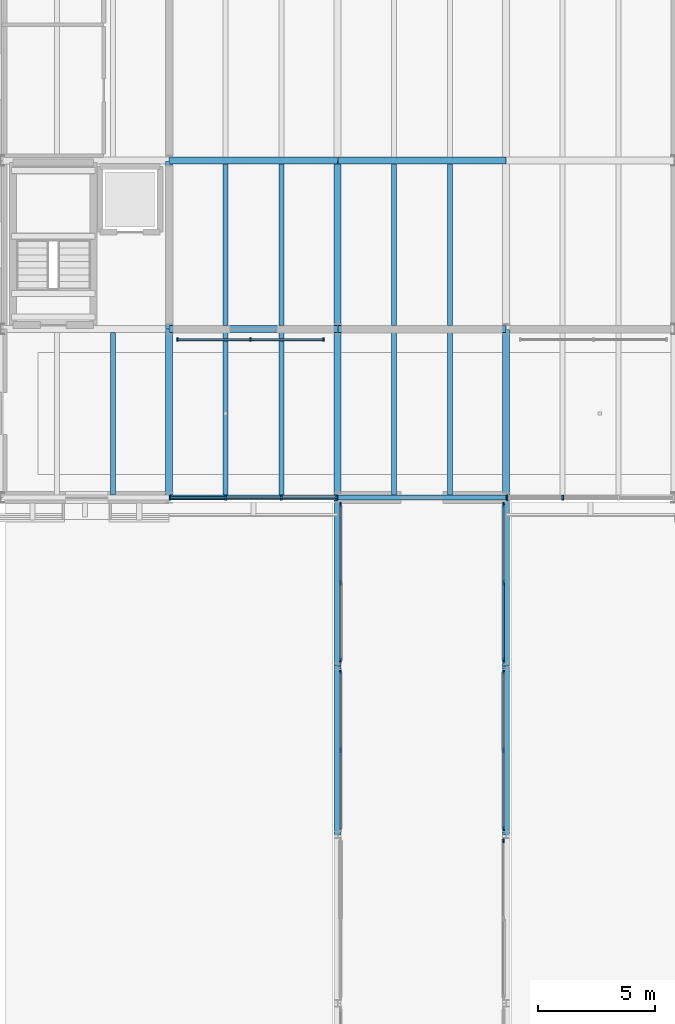
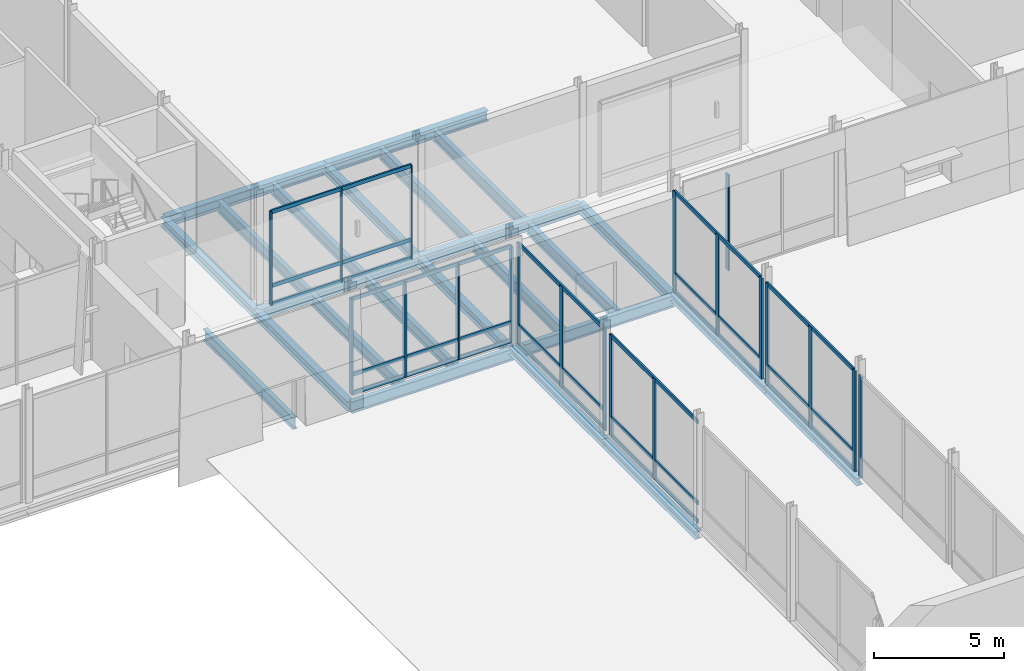
# One storey, part 42 of 120: 39 members, 24 beams, 8 elements without a shape of their own.
"""IFC4 building model written with IfcOpenShell, lengths in metres."""

from ifc_helpers import new_model, si_unit, direction, frame, origin, origin_2d, place, context, subcontext, project, spatial, rectangle, i_section, extrude, material, layer, layer_set, material_profile, profile_set, type_object, element, aggregate, save


model = new_model("IFC4")

# Units and contexts
model_context = context("Model", 3, precision=1e-05, world=origin(), true_north=direction((0.0, 1.0)))
body_context = subcontext(model_context, "Body", "Model", "MODEL_VIEW")
ifc_project = project(units=[si_unit("LENGTHUNIT", "METRE"), si_unit("AREAUNIT", "SQUARE_METRE"), si_unit("VOLUMEUNIT", "CUBIC_METRE"), si_unit("PLANEANGLEUNIT", "RADIAN"), si_unit("MASSUNIT", "GRAM", prefix="KILO")], contexts=[model_context])

# Site, building, storey
site_placement = place(None, origin())
site = spatial("IfcSite", under=ifc_project, at=site_placement, CompositionType="ELEMENT")
building_placement = place(site_placement, origin())
building = spatial("IfcBuilding", under=site, at=building_placement, Name="Narikvali Park Central Library", CompositionType="ELEMENT")
storey_placement = place(building_placement, origin())
storey = spatial("IfcBuildingStorey", under=building, at=storey_placement, Name="L00", CompositionType="ELEMENT", Elevation=0.0)

# Beams
ifc_material_1 = material(Name="Steel S355", Category="steel")
ifc_material_profile_1 = material_profile(ifc_material_1, i_section(OverallWidth=0.2099609375, OverallDepth=0.550048828125, WebThickness=0.010986328125, FlangeThickness=0.01708984375, FilletRadius=0.02392578125, at=origin_2d()), Name="IPE 550")
ifc_profile_set_1 = profile_set([ifc_material_profile_1], Name="Steel S355")
beam_type_1 = type_object("IfcBeamType", Name="Assembly Floor Joist IPE550", PredefinedType="JOIST", material=ifc_profile_set_1)
for number, where, z_axis, x_axis, name in (
    (1, (127.199951171875, 79.304931640625, -0.594970703125), (0.0, 1.0, 0.0), (-1.0, 0.0, 0.0), "V3 L00 Composite Joist 2"),
    (2, (132.0, 79.304931640625, -0.594970703125), (0.0, 1.0, 0.0), (-1.0, 0.0, 0.0), "V3 L00 Composite Joist 1"),
    (3, (134.39990234375, 79.304931640625, -0.594970703125), (0.0, 1.0, 0.0), (-1.0, 0.0, 0.0), "V3 L00 Composite Joist 2"),
):
    element("IfcBeam", number, at=place(storey_placement, frame(where, z_axis=z_axis, x_axis=x_axis)), inside=storey, type_object=beam_type_1, Name=name, PredefinedType="JOIST", context=body_context, shape_type="SweptSolid", body=[
        extrude(i_section(OverallWidth=0.2099609375, OverallDepth=0.550048828125, WebThickness=0.010986328125, FlangeThickness=0.01708984375, FilletRadius=0.02392578125, at=origin_2d()), origin(), (0.0, 0.0, 1.0), 6.945068359375),
    ])
for number, where, z_axis, x_axis, name in (
    (4, (132.0, 86.550048828125, -0.594970703125), (0.0, 1.0, 0.0), (-1.0, 0.0, 0.0), "V3 L00 Composite Joist 1"),
    (5, (134.39990234375, 86.550048828125, -0.594970703125), (0.0, 1.0, 0.0), (-1.0, 0.0, 0.0), "V3 L00 Composite Joist 2"),
):
    element("IfcBeam", number, at=place(storey_placement, frame(where, z_axis=z_axis, x_axis=x_axis)), inside=storey, type_object=beam_type_1, Name=name, PredefinedType="JOIST", context=body_context, shape_type="SweptSolid", body=[
        extrude(i_section(OverallWidth=0.2099609375, OverallDepth=0.550048828125, WebThickness=0.010986328125, FlangeThickness=0.01708984375, FilletRadius=0.02392578125, at=origin_2d()), origin(), (0.0, 0.0, 1.0), 6.89990234375),
    ])
for number, where, z_axis, x_axis, name in (
    (6, (139.199951171875, 79.304931640625, -0.594970703125), (0.0, 1.0, 0.0), (-1.0, 0.0, 0.0), "V3 L00 Composite Joist 1"),
    (7, (141.60009765625, 79.304931640625, -0.594970703125), (0.0, 1.0, 0.0), (-1.0, 0.0, 0.0), "V3 L00 Composite Joist 2"),
):
    element("IfcBeam", number, at=place(storey_placement, frame(where, z_axis=z_axis, x_axis=x_axis)), inside=storey, type_object=beam_type_1, Name=name, PredefinedType="JOIST", context=body_context, shape_type="SweptSolid", body=[
        extrude(i_section(OverallWidth=0.2099609375, OverallDepth=0.550048828125, WebThickness=0.010986328125, FlangeThickness=0.01708984375, FilletRadius=0.02392578125, at=origin_2d()), origin(), (0.0, 0.0, 1.0), 6.945068359375),
    ])
for number, where, z_axis, x_axis, name in (
    (8, (139.199951171875, 86.550048828125, -0.594970703125), (0.0, 1.0, 0.0), (-1.0, 0.0, 0.0), "V3 L00 Composite Joist 1"),
    (9, (141.60009765625, 86.550048828125, -0.594970703125), (0.0, 1.0, 0.0), (-1.0, 0.0, 0.0), "V3 L00 Composite Joist 2"),
):
    element("IfcBeam", number, at=place(storey_placement, frame(where, z_axis=z_axis, x_axis=x_axis)), inside=storey, type_object=beam_type_1, Name=name, PredefinedType="JOIST", context=body_context, shape_type="SweptSolid", body=[
        extrude(i_section(OverallWidth=0.2099609375, OverallDepth=0.550048828125, WebThickness=0.010986328125, FlangeThickness=0.01708984375, FilletRadius=0.02392578125, at=origin_2d()), origin(), (0.0, 0.0, 1.0), 6.89990234375),
    ])
ifc_material_profile_2 = material_profile(ifc_material_1, i_section(OverallWidth=0.300048828125, OverallDepth=0.360107421875, WebThickness=0.012451171875, FlangeThickness=0.0224609375, FilletRadius=0.027099609375, at=origin_2d()), Name="HEB 360")
ifc_profile_set_2 = profile_set([ifc_material_profile_2], Name="Steel S355")
beam_type_2 = type_object("IfcBeamType", Name="Cloister Bridge Girder HEB360", PredefinedType="BEAM", material=ifc_profile_set_2)
for number, where, z_axis, x_axis, name in (
    (10, (136.800048828125, 64.81005859375, -0.429931640625), (0.0, 1.0, 0.0), (-1.0, 0.0, 0.0), "BRG-4 L00 Sliding Bridge Girder 1-3"),
    (11, (136.800048828125, 72.010009765625, -0.429931640625), (0.0, 1.0, 0.0), (-1.0, 0.0, 0.0), "BRG-4 L00 Sliding Bridge Girder 1-4"),
    (12, (144.0, 64.81005859375, -0.429931640625), (0.0, 1.0, 0.0), (-1.0, 0.0, 0.0), "BRG-4 L00 Sliding Bridge Girder 2-3"),
    (13, (144.0, 72.010009765625, -0.429931640625), (0.0, 1.0, 0.0), (-1.0, 0.0, 0.0), "BRG-4 L00 Sliding Bridge Girder 2-4"),
):
    element("IfcBeam", number, at=place(storey_placement, frame(where, z_axis=z_axis, x_axis=x_axis)), inside=storey, type_object=beam_type_2, Name=name, PredefinedType="BEAM", context=body_context, shape_type="SweptSolid", body=[
        extrude(i_section(OverallWidth=0.300048828125, OverallDepth=0.360107421875, WebThickness=0.012451171875, FlangeThickness=0.0224609375, FilletRadius=0.027099609375, at=origin_2d()), origin(), (0.0, 0.0, 1.0), 7.179931640625),
    ])

# Curtain wall, members
ifc_material_2 = material(Name="Anodised Bronze Aluminium", Category="aluminium")
ifc_layer_1 = layer(ifc_material_2, 0.219970703125, Name="Anodised Bronze Aluminium")
ifc_layer_set_1 = layer_set([ifc_layer_1], Name="Anodised Bronze Aluminium")
curtain_wall_type_1 = type_object("IfcCurtainWallType", Name="Atrium Tall Curtain Wall System", PredefinedType="NOTDEFINED", material=ifc_layer_set_1)
curtain_wall_1_placement = place(storey_placement, origin())
curtain_wall_1 = element("IfcCurtainWall", 14, at=curtain_wall_1_placement, inside=storey, type_object=curtain_wall_type_1, Name="Atrium Tall Curtain Wall System CW-V3-L00-S-02", PredefinedType="NOTDEFINED")
ifc_material_profile_3 = material_profile(ifc_material_2, rectangle(XDim=0.074951171875, YDim=0.219970703125, at=origin_2d()), Name="CW MULLION 75x220")
ifc_profile_set_3 = profile_set([ifc_material_profile_3], Name="Anodised Bronze Aluminium")
member_type_1 = type_object("IfcMemberType", Name="Curtain Wall Heavy Mullion 75x220", PredefinedType="MULLION", material=ifc_profile_set_3)
member_1_placement = place(storey_placement, frame((129.637939453125, 79.199951171875, -0.010009765625), z_axis=(0.0, 0.0, 1.0), x_axis=(1.0, 0.0, 0.0)))
member_1 = element("IfcMember", 15, at=member_1_placement, type_object=member_type_1, Name="CW-V3-L00-S-02 Mullion 00", PredefinedType="MULLION", context=body_context, shape_type="SweptSolid", body=[
    extrude(rectangle(XDim=0.074951171875, YDim=0.219970703125, at=origin_2d()), origin(), (0.0, 0.0, 1.0), 4.510009765625),
])
member_2_placement = place(storey_placement, frame((132.0126953125, 79.199951171875, -0.010009765625), z_axis=(0.0, 0.0, 1.0), x_axis=(1.0, 0.0, 0.0)))
member_2 = element("IfcMember", 16, at=member_2_placement, type_object=member_type_1, Name="CW-V3-L00-S-02 Mullion 01", PredefinedType="MULLION", context=body_context, shape_type="SweptSolid", body=[
    extrude(rectangle(XDim=0.074951171875, YDim=0.219970703125, at=origin_2d()), origin(), (0.0, 0.0, 1.0), 4.510009765625),
])
member_3_placement = place(storey_placement, frame((134.38720703125, 79.199951171875, -0.010009765625), z_axis=(0.0, 0.0, 1.0), x_axis=(1.0, 0.0, 0.0)))
member_3 = element("IfcMember", 17, at=member_3_placement, type_object=member_type_1, Name="CW-V3-L00-S-02 Mullion 02", PredefinedType="MULLION", context=body_context, shape_type="SweptSolid", body=[
    extrude(rectangle(XDim=0.074951171875, YDim=0.219970703125, at=origin_2d()), origin(), (0.0, 0.0, 1.0), 4.510009765625),
])
member_4_placement = place(storey_placement, frame((136.761962890625, 79.199951171875, -0.010009765625), z_axis=(0.0, 0.0, 1.0), x_axis=(1.0, 0.0, 0.0)))
member_4 = element("IfcMember", 18, at=member_4_placement, type_object=member_type_1, Name="CW-V3-L00-S-02 Mullion 03", PredefinedType="MULLION", context=body_context, shape_type="SweptSolid", body=[
    extrude(rectangle(XDim=0.074951171875, YDim=0.219970703125, at=origin_2d()), origin(), (0.0, 0.0, 1.0), 4.510009765625),
])

curtain_wall_2_placement = place(storey_placement, origin())
curtain_wall_2 = element("IfcCurtainWall", 19, at=curtain_wall_2_placement, inside=storey, type_object=curtain_wall_type_1, Name="Atrium Tall Curtain Wall System CW-V3-L00-S-04", PredefinedType="NOTDEFINED")
member_5_placement = place(storey_placement, frame((144.0380859375, 79.199951171875, -0.010009765625), z_axis=(0.0, 0.0, 1.0), x_axis=(1.0, 0.0, 0.0)))
member_5 = element("IfcMember", 20, at=member_5_placement, type_object=member_type_1, Name="CW-V3-L00-S-04 Mullion 00", PredefinedType="MULLION", context=body_context, shape_type="SweptSolid", body=[
    extrude(rectangle(XDim=0.074951171875, YDim=0.219970703125, at=origin_2d()), origin(), (0.0, 0.0, 1.0), 4.510009765625),
])
member_6_placement = place(storey_placement, frame((146.41259765625, 79.199951171875, -0.010009765625), z_axis=(0.0, 0.0, 1.0), x_axis=(1.0, 0.0, 0.0)))
member_6 = element("IfcMember", 21, at=member_6_placement, type_object=member_type_1, Name="CW-V3-L00-S-04 Mullion 01", PredefinedType="MULLION", context=body_context, shape_type="SweptSolid", body=[
    extrude(rectangle(XDim=0.074951171875, YDim=0.219970703125, at=origin_2d()), origin(), (0.0, 0.0, 1.0), 4.510009765625),
])
aggregate(curtain_wall_2, [member_5, member_6])

# Curtain wall, member
ifc_layer_2 = layer(ifc_material_2, 0.219970703125, Name="Anodised Bronze Aluminium")
ifc_layer_set_2 = layer_set([ifc_layer_2], Name="Anodised Bronze Aluminium")
curtain_wall_type_2 = type_object("IfcCurtainWallType", Name="Bridge Covered Passage Glazing System", PredefinedType="NOTDEFINED", material=ifc_layer_set_2)
curtain_wall_3_placement = place(storey_placement, origin())
curtain_wall_3 = element("IfcCurtainWall", 22, at=curtain_wall_3_placement, inside=storey, type_object=curtain_wall_type_2, Name="Bridge Covered Passage Glazing System CW-BRG-4-L00-E2", PredefinedType="NOTDEFINED")
member_7_placement = place(storey_placement, frame((143.8798828125, 64.56005859375, -0.010009765625), z_axis=(0.0, 0.0, 1.0), x_axis=(1.0, 0.0, 0.0)))
member_7 = element("IfcMember", 23, at=member_7_placement, type_object=member_type_1, Name="CW-BRG-4-L00-E2 Mullion 02", PredefinedType="MULLION", context=body_context, shape_type="SweptSolid", body=[
    extrude(rectangle(XDim=0.074951171875, YDim=0.219970703125, at=origin_2d()), origin(), (0.0, 0.0, 1.0), 4.760009765625),
])
aggregate(curtain_wall_3, [member_7])

# Curtain wall, members
curtain_wall_4_placement = place(storey_placement, origin())
curtain_wall_4 = element("IfcCurtainWall", 24, at=curtain_wall_4_placement, inside=storey, type_object=curtain_wall_type_2, Name="Bridge Covered Passage Glazing System CW-BRG-4-L00-W3", PredefinedType="NOTDEFINED")
member_8_placement = place(storey_placement, frame((136.919921875, 68.39990234375, -0.010009765625), z_axis=(0.0, 0.0, 1.0), x_axis=(1.0, 0.0, 0.0)))
member_8 = element("IfcMember", 25, at=member_8_placement, type_object=member_type_1, Name="CW-BRG-4-L00-W3 Mullion 01", PredefinedType="MULLION", context=body_context, shape_type="SweptSolid", body=[
    extrude(rectangle(XDim=0.074951171875, YDim=0.219970703125, at=origin_2d()), origin(), (0.0, 0.0, 1.0), 4.760009765625),
])
member_9_placement = place(storey_placement, frame((136.919921875, 71.760009765625, -0.010009765625), z_axis=(0.0, 0.0, 1.0), x_axis=(1.0, 0.0, 0.0)))
member_9 = element("IfcMember", 26, at=member_9_placement, type_object=member_type_1, Name="CW-BRG-4-L00-W3 Mullion 02", PredefinedType="MULLION", context=body_context, shape_type="SweptSolid", body=[
    extrude(rectangle(XDim=0.074951171875, YDim=0.219970703125, at=origin_2d()), origin(), (0.0, 0.0, 1.0), 4.760009765625),
])

curtain_wall_5_placement = place(storey_placement, origin())
curtain_wall_5 = element("IfcCurtainWall", 27, at=curtain_wall_5_placement, inside=storey, type_object=curtain_wall_type_2, Name="Bridge Covered Passage Glazing System CW-BRG-4-L00-E3", PredefinedType="NOTDEFINED")
member_10_placement = place(storey_placement, frame((143.8798828125, 65.0400390625, -0.010009765625), z_axis=(0.0, 0.0, 1.0), x_axis=(1.0, 0.0, 0.0)))
member_10 = element("IfcMember", 28, at=member_10_placement, type_object=member_type_1, Name="CW-BRG-4-L00-E3 Mullion 00", PredefinedType="MULLION", context=body_context, shape_type="SweptSolid", body=[
    extrude(rectangle(XDim=0.074951171875, YDim=0.219970703125, at=origin_2d()), origin(), (0.0, 0.0, 1.0), 4.760009765625),
])
member_11_placement = place(storey_placement, frame((143.8798828125, 68.39990234375, -0.010009765625), z_axis=(0.0, 0.0, 1.0), x_axis=(1.0, 0.0, 0.0)))
member_11 = element("IfcMember", 29, at=member_11_placement, type_object=member_type_1, Name="CW-BRG-4-L00-E3 Mullion 01", PredefinedType="MULLION", context=body_context, shape_type="SweptSolid", body=[
    extrude(rectangle(XDim=0.074951171875, YDim=0.219970703125, at=origin_2d()), origin(), (0.0, 0.0, 1.0), 4.760009765625),
])
member_12_placement = place(storey_placement, frame((143.8798828125, 71.760009765625, -0.010009765625), z_axis=(0.0, 0.0, 1.0), x_axis=(1.0, 0.0, 0.0)))
member_12 = element("IfcMember", 30, at=member_12_placement, type_object=member_type_1, Name="CW-BRG-4-L00-E3 Mullion 02", PredefinedType="MULLION", context=body_context, shape_type="SweptSolid", body=[
    extrude(rectangle(XDim=0.074951171875, YDim=0.219970703125, at=origin_2d()), origin(), (0.0, 0.0, 1.0), 4.760009765625),
])

curtain_wall_6_placement = place(storey_placement, origin())
curtain_wall_6 = element("IfcCurtainWall", 31, at=curtain_wall_6_placement, inside=storey, type_object=curtain_wall_type_2, Name="Bridge Covered Passage Glazing System CW-BRG-4-L00-W4", PredefinedType="NOTDEFINED")
member_13_placement = place(storey_placement, frame((136.919921875, 72.239990234375, -0.010009765625), z_axis=(0.0, 0.0, 1.0), x_axis=(1.0, 0.0, 0.0)))
member_13 = element("IfcMember", 32, at=member_13_placement, type_object=member_type_1, Name="CW-BRG-4-L00-W4 Mullion 00", PredefinedType="MULLION", context=body_context, shape_type="SweptSolid", body=[
    extrude(rectangle(XDim=0.074951171875, YDim=0.219970703125, at=origin_2d()), origin(), (0.0, 0.0, 1.0), 4.760009765625),
])
member_14_placement = place(storey_placement, frame((136.919921875, 75.570068359375, -0.010009765625), z_axis=(0.0, 0.0, 1.0), x_axis=(1.0, 0.0, 0.0)))
member_14 = element("IfcMember", 33, at=member_14_placement, type_object=member_type_1, Name="CW-BRG-4-L00-W4 Mullion 01", PredefinedType="MULLION", context=body_context, shape_type="SweptSolid", body=[
    extrude(rectangle(XDim=0.074951171875, YDim=0.219970703125, at=origin_2d()), origin(), (0.0, 0.0, 1.0), 4.760009765625),
])
member_15_placement = place(storey_placement, frame((136.919921875, 78.89990234375, -0.010009765625), z_axis=(0.0, 0.0, 1.0), x_axis=(1.0, 0.0, 0.0)))
member_15 = element("IfcMember", 34, at=member_15_placement, type_object=member_type_1, Name="CW-BRG-4-L00-W4 Mullion 02", PredefinedType="MULLION", context=body_context, shape_type="SweptSolid", body=[
    extrude(rectangle(XDim=0.074951171875, YDim=0.219970703125, at=origin_2d()), origin(), (0.0, 0.0, 1.0), 4.760009765625),
])

curtain_wall_7_placement = place(storey_placement, origin())
curtain_wall_7 = element("IfcCurtainWall", 35, at=curtain_wall_7_placement, inside=storey, type_object=curtain_wall_type_2, Name="Bridge Covered Passage Glazing System CW-BRG-4-L00-E4", PredefinedType="NOTDEFINED")
member_16_placement = place(storey_placement, frame((143.8798828125, 72.239990234375, -0.010009765625), z_axis=(0.0, 0.0, 1.0), x_axis=(1.0, 0.0, 0.0)))
member_16 = element("IfcMember", 36, at=member_16_placement, type_object=member_type_1, Name="CW-BRG-4-L00-E4 Mullion 00", PredefinedType="MULLION", context=body_context, shape_type="SweptSolid", body=[
    extrude(rectangle(XDim=0.074951171875, YDim=0.219970703125, at=origin_2d()), origin(), (0.0, 0.0, 1.0), 4.760009765625),
])
member_17_placement = place(storey_placement, frame((143.8798828125, 75.570068359375, -0.010009765625), z_axis=(0.0, 0.0, 1.0), x_axis=(1.0, 0.0, 0.0)))
member_17 = element("IfcMember", 37, at=member_17_placement, type_object=member_type_1, Name="CW-BRG-4-L00-E4 Mullion 01", PredefinedType="MULLION", context=body_context, shape_type="SweptSolid", body=[
    extrude(rectangle(XDim=0.074951171875, YDim=0.219970703125, at=origin_2d()), origin(), (0.0, 0.0, 1.0), 4.760009765625),
])
member_18_placement = place(storey_placement, frame((143.8798828125, 78.89990234375, -0.010009765625), z_axis=(0.0, 0.0, 1.0), x_axis=(1.0, 0.0, 0.0)))
member_18 = element("IfcMember", 38, at=member_18_placement, type_object=member_type_1, Name="CW-BRG-4-L00-E4 Mullion 02", PredefinedType="MULLION", context=body_context, shape_type="SweptSolid", body=[
    extrude(rectangle(XDim=0.074951171875, YDim=0.219970703125, at=origin_2d()), origin(), (0.0, 0.0, 1.0), 4.760009765625),
])

# Member
ifc_material_profile_4 = material_profile(ifc_material_2, rectangle(XDim=0.074951171875, YDim=0.179931640625, at=origin_2d()), Name="CW TRANSOM 75x180")
ifc_profile_set_4 = profile_set([ifc_material_profile_4], Name="Anodised Bronze Aluminium")
member_type_2 = type_object("IfcMemberType", Name="Curtain Wall Heavy Transom 75x180", PredefinedType="USERDEFINED", material=ifc_profile_set_4)
member_19_placement = place(storey_placement, frame((129.637939453125, 79.199951171875, 0.030029296875), z_axis=(1.0, 0.0, 0.0), x_axis=(0.0, 1.0, 0.0)))
member_19 = element("IfcMember", 39, at=member_19_placement, type_object=member_type_2, Name="CW-V3-L00-S-02 Transom 00", ObjectType="TRANSOM", PredefinedType="USERDEFINED", context=body_context, shape_type="SweptSolid", body=[
    extrude(rectangle(XDim=0.074951171875, YDim=0.179931640625, at=origin_2d()), origin(), (0.0, 0.0, 1.0), 7.1240234375),
])

member_20_placement = place(storey_placement, frame((129.637939453125, 79.199951171875, 0.89990234375), z_axis=(1.0, 0.0, 0.0), x_axis=(0.0, 1.0, 0.0)))
member_20 = element("IfcMember", 40, at=member_20_placement, type_object=member_type_2, Name="CW-V3-L00-S-02 Transom 01", ObjectType="TRANSOM", PredefinedType="USERDEFINED", context=body_context, shape_type="SweptSolid", body=[
    extrude(rectangle(XDim=0.074951171875, YDim=0.179931640625, at=origin_2d()), origin(), (0.0, 0.0, 1.0), 7.1240234375),
])

member_21_placement = place(storey_placement, frame((129.637939453125, 79.199951171875, 4.469970703125), z_axis=(1.0, 0.0, 0.0), x_axis=(0.0, 1.0, 0.0)))
member_21 = element("IfcMember", 41, at=member_21_placement, type_object=member_type_2, Name="CW-V3-L00-S-02 Transom 02", ObjectType="TRANSOM", PredefinedType="USERDEFINED", context=body_context, shape_type="SweptSolid", body=[
    extrude(rectangle(XDim=0.074951171875, YDim=0.179931640625, at=origin_2d()), origin(), (0.0, 0.0, 1.0), 7.1240234375),
])

aggregate(curtain_wall_1, [member_1, member_2, member_3, member_4, member_19, member_20, member_21])

member_22_placement = place(storey_placement, frame((136.919921875, 65.0400390625, 0.030029296875), z_axis=(0.0, 1.0, 0.0), x_axis=(-1.0, 0.0, 0.0)))
member_22 = element("IfcMember", 42, at=member_22_placement, type_object=member_type_2, Name="CW-BRG-4-L00-W3 Transom 00", ObjectType="TRANSOM", PredefinedType="USERDEFINED", context=body_context, shape_type="SweptSolid", body=[
    extrude(rectangle(XDim=0.074951171875, YDim=0.179931640625, at=origin_2d()), origin(), (0.0, 0.0, 1.0), 6.719970703125),
])

member_23_placement = place(storey_placement, frame((136.919921875, 65.0400390625, 0.89990234375), z_axis=(0.0, 1.0, 0.0), x_axis=(-1.0, 0.0, 0.0)))
member_23 = element("IfcMember", 43, at=member_23_placement, type_object=member_type_2, Name="CW-BRG-4-L00-W3 Transom 01", ObjectType="TRANSOM", PredefinedType="USERDEFINED", context=body_context, shape_type="SweptSolid", body=[
    extrude(rectangle(XDim=0.074951171875, YDim=0.179931640625, at=origin_2d()), origin(), (0.0, 0.0, 1.0), 6.719970703125),
])

member_24_placement = place(storey_placement, frame((136.919921875, 65.0400390625, 4.719970703125), z_axis=(0.0, 1.0, 0.0), x_axis=(-1.0, 0.0, 0.0)))
member_24 = element("IfcMember", 44, at=member_24_placement, type_object=member_type_2, Name="CW-BRG-4-L00-W3 Transom 02", ObjectType="TRANSOM", PredefinedType="USERDEFINED", context=body_context, shape_type="SweptSolid", body=[
    extrude(rectangle(XDim=0.074951171875, YDim=0.179931640625, at=origin_2d()), origin(), (0.0, 0.0, 1.0), 6.719970703125),
])

aggregate(curtain_wall_4, [member_8, member_9, member_22, member_23, member_24])

member_25_placement = place(storey_placement, frame((143.8798828125, 65.0400390625, 0.030029296875), z_axis=(0.0, 1.0, 0.0), x_axis=(-1.0, 0.0, 0.0)))
member_25 = element("IfcMember", 45, at=member_25_placement, type_object=member_type_2, Name="CW-BRG-4-L00-E3 Transom 00", ObjectType="TRANSOM", PredefinedType="USERDEFINED", context=body_context, shape_type="SweptSolid", body=[
    extrude(rectangle(XDim=0.074951171875, YDim=0.179931640625, at=origin_2d()), origin(), (0.0, 0.0, 1.0), 6.719970703125),
])

member_26_placement = place(storey_placement, frame((143.8798828125, 65.0400390625, 0.89990234375), z_axis=(0.0, 1.0, 0.0), x_axis=(-1.0, 0.0, 0.0)))
member_26 = element("IfcMember", 46, at=member_26_placement, type_object=member_type_2, Name="CW-BRG-4-L00-E3 Transom 01", ObjectType="TRANSOM", PredefinedType="USERDEFINED", context=body_context, shape_type="SweptSolid", body=[
    extrude(rectangle(XDim=0.074951171875, YDim=0.179931640625, at=origin_2d()), origin(), (0.0, 0.0, 1.0), 6.719970703125),
])

member_27_placement = place(storey_placement, frame((143.8798828125, 65.0400390625, 4.719970703125), z_axis=(0.0, 1.0, 0.0), x_axis=(-1.0, 0.0, 0.0)))
member_27 = element("IfcMember", 47, at=member_27_placement, type_object=member_type_2, Name="CW-BRG-4-L00-E3 Transom 02", ObjectType="TRANSOM", PredefinedType="USERDEFINED", context=body_context, shape_type="SweptSolid", body=[
    extrude(rectangle(XDim=0.074951171875, YDim=0.179931640625, at=origin_2d()), origin(), (0.0, 0.0, 1.0), 6.719970703125),
])

aggregate(curtain_wall_5, [member_10, member_11, member_12, member_25, member_26, member_27])

member_28_placement = place(storey_placement, frame((136.919921875, 72.239990234375, 0.030029296875), z_axis=(0.0, 1.0, 0.0), x_axis=(-1.0, 0.0, 0.0)))
member_28 = element("IfcMember", 48, at=member_28_placement, type_object=member_type_2, Name="CW-BRG-4-L00-W4 Transom 00", ObjectType="TRANSOM", PredefinedType="USERDEFINED", context=body_context, shape_type="SweptSolid", body=[
    extrude(rectangle(XDim=0.074951171875, YDim=0.179931640625, at=origin_2d()), origin(), (0.0, 0.0, 1.0), 6.659912109375),
])

member_29_placement = place(storey_placement, frame((136.919921875, 72.239990234375, 0.89990234375), z_axis=(0.0, 1.0, 0.0), x_axis=(-1.0, 0.0, 0.0)))
member_29 = element("IfcMember", 49, at=member_29_placement, type_object=member_type_2, Name="CW-BRG-4-L00-W4 Transom 01", ObjectType="TRANSOM", PredefinedType="USERDEFINED", context=body_context, shape_type="SweptSolid", body=[
    extrude(rectangle(XDim=0.074951171875, YDim=0.179931640625, at=origin_2d()), origin(), (0.0, 0.0, 1.0), 6.659912109375),
])

member_30_placement = place(storey_placement, frame((136.919921875, 72.239990234375, 4.719970703125), z_axis=(0.0, 1.0, 0.0), x_axis=(-1.0, 0.0, 0.0)))
member_30 = element("IfcMember", 50, at=member_30_placement, type_object=member_type_2, Name="CW-BRG-4-L00-W4 Transom 02", ObjectType="TRANSOM", PredefinedType="USERDEFINED", context=body_context, shape_type="SweptSolid", body=[
    extrude(rectangle(XDim=0.074951171875, YDim=0.179931640625, at=origin_2d()), origin(), (0.0, 0.0, 1.0), 6.659912109375),
])

aggregate(curtain_wall_6, [member_13, member_14, member_15, member_28, member_29, member_30])

member_31_placement = place(storey_placement, frame((143.8798828125, 72.239990234375, 0.030029296875), z_axis=(0.0, 1.0, 0.0), x_axis=(-1.0, 0.0, 0.0)))
member_31 = element("IfcMember", 51, at=member_31_placement, type_object=member_type_2, Name="CW-BRG-4-L00-E4 Transom 00", ObjectType="TRANSOM", PredefinedType="USERDEFINED", context=body_context, shape_type="SweptSolid", body=[
    extrude(rectangle(XDim=0.074951171875, YDim=0.179931640625, at=origin_2d()), origin(), (0.0, 0.0, 1.0), 6.659912109375),
])

member_32_placement = place(storey_placement, frame((143.8798828125, 72.239990234375, 0.89990234375), z_axis=(0.0, 1.0, 0.0), x_axis=(-1.0, 0.0, 0.0)))
member_32 = element("IfcMember", 52, at=member_32_placement, type_object=member_type_2, Name="CW-BRG-4-L00-E4 Transom 01", ObjectType="TRANSOM", PredefinedType="USERDEFINED", context=body_context, shape_type="SweptSolid", body=[
    extrude(rectangle(XDim=0.074951171875, YDim=0.179931640625, at=origin_2d()), origin(), (0.0, 0.0, 1.0), 6.659912109375),
])

member_33_placement = place(storey_placement, frame((143.8798828125, 72.239990234375, 4.719970703125), z_axis=(0.0, 1.0, 0.0), x_axis=(-1.0, 0.0, 0.0)))
member_33 = element("IfcMember", 53, at=member_33_placement, type_object=member_type_2, Name="CW-BRG-4-L00-E4 Transom 02", ObjectType="TRANSOM", PredefinedType="USERDEFINED", context=body_context, shape_type="SweptSolid", body=[
    extrude(rectangle(XDim=0.074951171875, YDim=0.179931640625, at=origin_2d()), origin(), (0.0, 0.0, 1.0), 6.659912109375),
])

aggregate(curtain_wall_7, [member_16, member_17, member_18, member_31, member_32, member_33])

# Curtain wall, members
curtain_wall_8_placement = place(storey_placement, origin())
curtain_wall_8 = element("IfcCurtainWall", 54, at=curtain_wall_8_placement, inside=storey, type_object=curtain_wall_type_1, Name="Atrium Tall Curtain Wall System CW-GAL-V3-L00-FOY-N1", PredefinedType="NOTDEFINED")
member_34_placement = place(storey_placement, frame((129.949951171875, 85.949951171875, 0.030029296875), z_axis=(1.0, 0.0, 0.0), x_axis=(0.0, 1.0, 0.0)))
member_34 = element("IfcMember", 55, at=member_34_placement, type_object=member_type_2, Name="CW-GAL-V3-L00-FOY-N1 Transom 00", ObjectType="TRANSOM", PredefinedType="USERDEFINED", context=body_context, shape_type="SweptSolid", body=[
    extrude(rectangle(XDim=0.074951171875, YDim=0.179931640625, at=origin_2d()), origin(), (0.0, 0.0, 1.0), 6.25),
])
member_35_placement = place(storey_placement, frame((129.949951171875, 85.949951171875, 0.89990234375), z_axis=(1.0, 0.0, 0.0), x_axis=(0.0, 1.0, 0.0)))
member_35 = element("IfcMember", 56, at=member_35_placement, type_object=member_type_2, Name="CW-GAL-V3-L00-FOY-N1 Transom 01", ObjectType="TRANSOM", PredefinedType="USERDEFINED", context=body_context, shape_type="SweptSolid", body=[
    extrude(rectangle(XDim=0.074951171875, YDim=0.179931640625, at=origin_2d()), origin(), (0.0, 0.0, 1.0), 6.25),
])
member_36_placement = place(storey_placement, frame((129.949951171875, 85.949951171875, 4.3701171875), z_axis=(1.0, 0.0, 0.0), x_axis=(0.0, 1.0, 0.0)))
member_36 = element("IfcMember", 57, at=member_36_placement, type_object=member_type_2, Name="CW-GAL-V3-L00-FOY-N1 Transom 02", ObjectType="TRANSOM", PredefinedType="USERDEFINED", context=body_context, shape_type="SweptSolid", body=[
    extrude(rectangle(XDim=0.074951171875, YDim=0.179931640625, at=origin_2d()), origin(), (0.0, 0.0, 1.0), 6.25),
])
ifc_material_profile_5 = material_profile(ifc_material_2, rectangle(XDim=0.06005859375, YDim=0.14990234375, at=origin_2d()), Name="CW MULLION 60x150")
ifc_profile_set_5 = profile_set([ifc_material_profile_5], Name="Anodised Bronze Aluminium")
member_type_3 = type_object("IfcMemberType", Name="Curtain Wall Mullion 60x150", PredefinedType="MULLION", material=ifc_profile_set_5)
member_37_placement = place(storey_placement, frame((129.949951171875, 85.949951171875, -0.010009765625), z_axis=(0.0, 0.0, 1.0), x_axis=(1.0, 0.0, 0.0)))
member_37 = element("IfcMember", 58, at=member_37_placement, type_object=member_type_3, Name="CW-GAL-V3-L00-FOY-N1 Mullion 00", PredefinedType="MULLION", context=body_context, shape_type="SweptSolid", body=[
    extrude(rectangle(XDim=0.06005859375, YDim=0.14990234375, at=origin_2d()), origin(), (0.0, 0.0, 1.0), 4.409912109375),
])
member_38_placement = place(storey_placement, frame((133.074951171875, 85.949951171875, -0.010009765625), z_axis=(0.0, 0.0, 1.0), x_axis=(1.0, 0.0, 0.0)))
member_38 = element("IfcMember", 59, at=member_38_placement, type_object=member_type_3, Name="CW-GAL-V3-L00-FOY-N1 Mullion 01", PredefinedType="MULLION", context=body_context, shape_type="SweptSolid", body=[
    extrude(rectangle(XDim=0.06005859375, YDim=0.14990234375, at=origin_2d()), origin(), (0.0, 0.0, 1.0), 4.409912109375),
])
member_39_placement = place(storey_placement, frame((136.199951171875, 85.949951171875, -0.010009765625), z_axis=(0.0, 0.0, 1.0), x_axis=(1.0, 0.0, 0.0)))
member_39 = element("IfcMember", 60, at=member_39_placement, type_object=member_type_3, Name="CW-GAL-V3-L00-FOY-N1 Mullion 02", PredefinedType="MULLION", context=body_context, shape_type="SweptSolid", body=[
    extrude(rectangle(XDim=0.06005859375, YDim=0.14990234375, at=origin_2d()), origin(), (0.0, 0.0, 1.0), 4.409912109375),
])
aggregate(curtain_wall_8, [member_37, member_38, member_39, member_34, member_35, member_36])

# Beams
ifc_material_profile_6 = material_profile(ifc_material_1, i_section(OverallWidth=0.2099609375, OverallDepth=0.550048828125, WebThickness=0.010986328125, FlangeThickness=0.01708984375, FilletRadius=0.02392578125, at=origin_2d()), Name="IPE 550")
ifc_profile_set_6 = profile_set([ifc_material_profile_6], Name="Steel S355")
beam_type_3 = type_object("IfcBeamType", Name="Perimeter Spandrel IPE550", PredefinedType="SPANDREL", material=ifc_profile_set_6)
beam_1_placement = place(storey_placement, frame((129.60791015625, 79.199951171875, -0.594970703125), z_axis=(1.0, 0.0, 0.0), x_axis=(0.0, 1.0, 0.0)))
element("IfcBeam", 61, at=beam_1_placement, inside=storey, type_object=beam_type_3, Name="V3 L00 Girder X", PredefinedType="SPANDREL", context=body_context, shape_type="SweptSolid", body=[
    extrude(i_section(OverallWidth=0.2099609375, OverallDepth=0.550048828125, WebThickness=0.010986328125, FlangeThickness=0.01708984375, FilletRadius=0.02392578125, at=origin_2d()), origin(), (0.0, 0.0, 1.0), 7.18408203125),
])
beam_2_placement = place(storey_placement, frame((136.80810546875, 79.199951171875, -0.594970703125), z_axis=(1.0, 0.0, 0.0), x_axis=(0.0, 1.0, 0.0)))
element("IfcBeam", 62, at=beam_2_placement, inside=storey, type_object=beam_type_3, Name="V3 L00 Girder X", PredefinedType="SPANDREL", context=body_context, shape_type="SweptSolid", body=[
    extrude(i_section(OverallWidth=0.2099609375, OverallDepth=0.550048828125, WebThickness=0.010986328125, FlangeThickness=0.01708984375, FilletRadius=0.02392578125, at=origin_2d()), origin(), (0.0, 0.0, 1.0), 7.183837890625),
])
ifc_material_profile_7 = material_profile(ifc_material_1, i_section(OverallWidth=0.300048828125, OverallDepth=0.43994140625, WebThickness=0.011474609375, FlangeThickness=0.02099609375, FilletRadius=0.027099609375, at=origin_2d()), Name="HEA 450")
ifc_profile_set_7 = profile_set([ifc_material_profile_7], Name="Steel S355")
beam_type_4 = type_object("IfcBeamType", Name="Primary Girder HEA450", PredefinedType="BEAM", material=ifc_profile_set_7)
for number, where, z_axis, x_axis, name in (
    (63, (129.60009765625, 79.2080078125, -0.5400390625), (0.0, 1.0, 0.0), (-1.0, 0.0, 0.0), "V3 L00 Girder Y"),
    (64, (129.60009765625, 86.407958984375, -0.5400390625), (0.0, 1.0, 0.0), (-1.0, 0.0, 0.0), "V3 L00 Girder Y"),
    (65, (136.800048828125, 79.2080078125, -0.5400390625), (0.0, 1.0, 0.0), (-1.0, 0.0, 0.0), "V3 L00 Girder Y"),
    (66, (136.800048828125, 86.407958984375, -0.5400390625), (0.0, 1.0, 0.0), (-1.0, 0.0, 0.0), "V3 L00 Girder Y"),
    (67, (144.0, 79.2080078125, -0.5400390625), (0.0, 1.0, 0.0), (-1.0, 0.0, 0.0), "V3 L00 Girder Y"),
):
    element("IfcBeam", number, at=place(storey_placement, frame(where, z_axis=z_axis, x_axis=x_axis)), inside=storey, type_object=beam_type_4, Name=name, PredefinedType="BEAM", context=body_context, shape_type="SweptSolid", body=[
        extrude(i_section(OverallWidth=0.300048828125, OverallDepth=0.43994140625, WebThickness=0.011474609375, FlangeThickness=0.02099609375, FilletRadius=0.027099609375, at=origin_2d()), origin(), (0.0, 0.0, 1.0), 7.18408203125),
    ])
ifc_material_profile_8 = material_profile(ifc_material_1, i_section(OverallWidth=0.300048828125, OverallDepth=0.489990234375, WebThickness=0.011962890625, FlangeThickness=0.02294921875, FilletRadius=0.027099609375, at=origin_2d()), Name="HEA 500")
ifc_profile_set_8 = profile_set([ifc_material_profile_8], Name="Steel S355")
beam_type_5 = type_object("IfcBeamType", Name="Primary Girder HEA500", PredefinedType="BEAM", material=ifc_profile_set_8)
beam_3_placement = place(storey_placement, frame((129.60791015625, 86.39990234375, -0.56494140625), z_axis=(1.0, 0.0, 0.0), x_axis=(0.0, 1.0, 0.0)))
element("IfcBeam", 68, at=beam_3_placement, inside=storey, type_object=beam_type_5, Name="V3 L00 Girder X", PredefinedType="BEAM", context=body_context, shape_type="SweptSolid", body=[
    extrude(i_section(OverallWidth=0.300048828125, OverallDepth=0.489990234375, WebThickness=0.011962890625, FlangeThickness=0.02294921875, FilletRadius=0.027099609375, at=origin_2d()), origin(), (0.0, 0.0, 1.0), 7.18408203125),
])
beam_4_placement = place(storey_placement, frame((136.80810546875, 86.39990234375, -0.56494140625), z_axis=(1.0, 0.0, 0.0), x_axis=(0.0, 1.0, 0.0)))
element("IfcBeam", 69, at=beam_4_placement, inside=storey, type_object=beam_type_5, Name="V3 L00 Girder X", PredefinedType="BEAM", context=body_context, shape_type="SweptSolid", body=[
    extrude(i_section(OverallWidth=0.300048828125, OverallDepth=0.489990234375, WebThickness=0.011962890625, FlangeThickness=0.02294921875, FilletRadius=0.027099609375, at=origin_2d()), origin(), (0.0, 0.0, 1.0), 7.183837890625),
])
beam_5_placement = place(storey_placement, frame((129.60791015625, 93.60009765625, -0.56494140625), z_axis=(1.0, 0.0, 0.0), x_axis=(0.0, 1.0, 0.0)))
element("IfcBeam", 70, at=beam_5_placement, inside=storey, type_object=beam_type_5, Name="V3 L00 Girder X", PredefinedType="BEAM", context=body_context, shape_type="SweptSolid", body=[
    extrude(i_section(OverallWidth=0.300048828125, OverallDepth=0.489990234375, WebThickness=0.011962890625, FlangeThickness=0.02294921875, FilletRadius=0.027099609375, at=origin_2d()), origin(), (0.0, 0.0, 1.0), 7.18408203125),
])
beam_6_placement = place(storey_placement, frame((136.80810546875, 93.60009765625, -0.56494140625), z_axis=(1.0, 0.0, 0.0), x_axis=(0.0, 1.0, 0.0)))
element("IfcBeam", 71, at=beam_6_placement, inside=storey, type_object=beam_type_5, Name="V3 L00 Girder X", PredefinedType="BEAM", context=body_context, shape_type="SweptSolid", body=[
    extrude(i_section(OverallWidth=0.300048828125, OverallDepth=0.489990234375, WebThickness=0.011962890625, FlangeThickness=0.02294921875, FilletRadius=0.027099609375, at=origin_2d()), origin(), (0.0, 0.0, 1.0), 7.183837890625),
])

save(model, "model.ifc")
